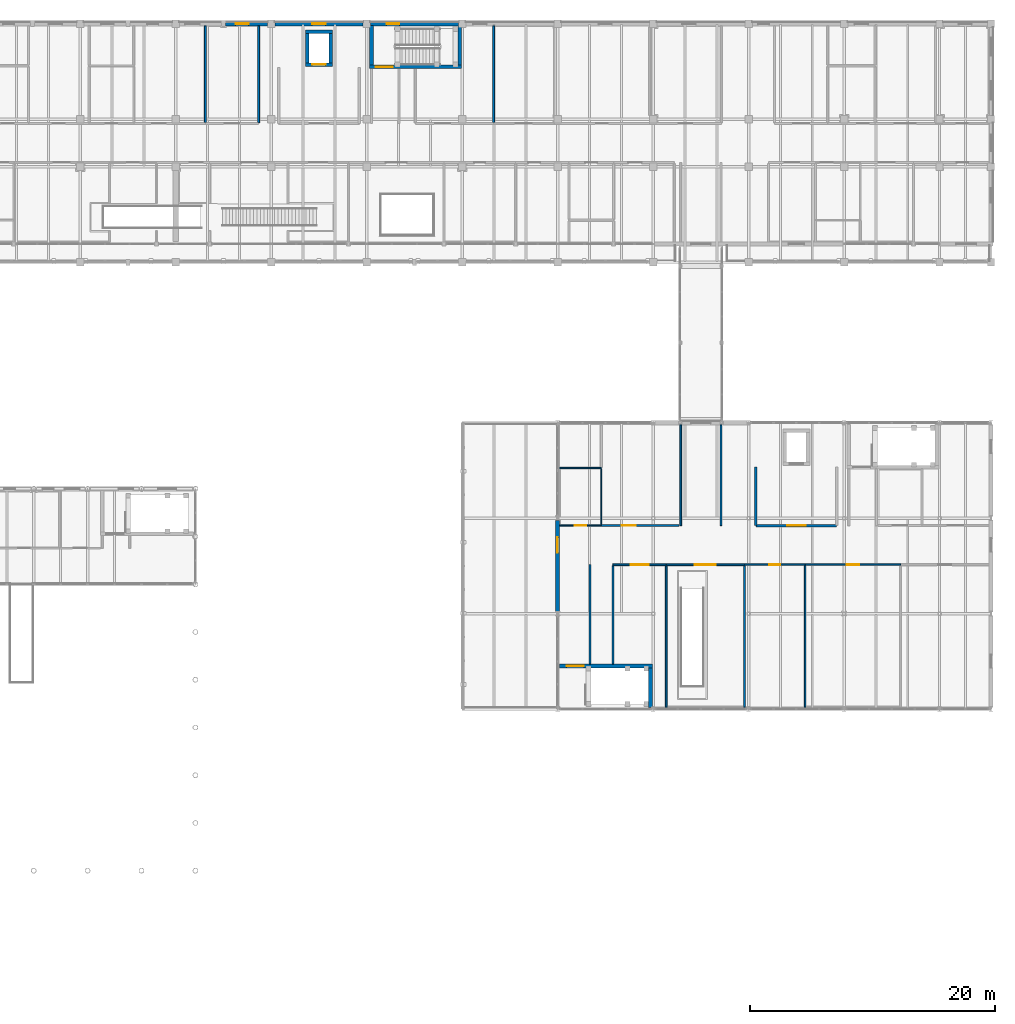
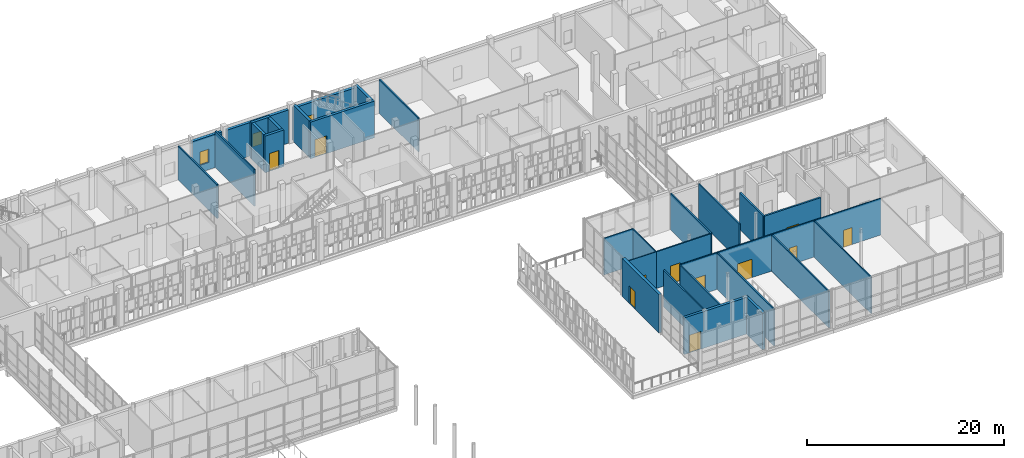
# One storey, part 111 of 138: 33 walls, 11 doors, 3 windows, 14 openings.
"""IFC4 building model written with IfcOpenShell, lengths in metres."""

import ifcopenshell
import ifcopenshell.guid

model = None  # the IFC model being written
_history = None  # IfcOwnerHistory: only IFC2X3 demands one
_inside = {}  # id of a spatial element -> (the spatial element, [elements in it])
_under = {}  # id of a project, library or spatial element -> (it, [spatial elements below it])
_declared = {}  # id of a project -> (the project, [libraries it declares])
_typed = {}  # id of a type object -> (the type object, [elements of that type])
_made_of = {}  # id of a material, layer set ... -> (it, [elements and type objects made of it])


def new_model(schema):
    """Start an empty IFC model of exactly this schema.

    Asked for "IFC4X3", IfcOpenShell would pick the latest addendum, in which some entities
    have other attributes; the version numbers below select the first issue.
    IFC2X3 requires an IfcOwnerHistory on every rooted entity: one is made here for all.
    """
    global model, _history
    if schema == "IFC4X3":
        model = ifcopenshell.file(schema_version=(4, 3, 0, 0))
    else:
        model = ifcopenshell.file(schema=schema)
    _inside.clear()
    _under.clear()
    _declared.clear()
    _typed.clear()
    _made_of.clear()
    _history = None
    if model.schema == "IFC2X3":
        org = make("IfcOrganization", Name="unknown")
        user = make(
            "IfcPersonAndOrganization",
            ThePerson=make("IfcPerson", FamilyName="unknown"),
            TheOrganization=org,
        )
        app = make(
            "IfcApplication",
            ApplicationDeveloper=org,
            Version="unknown",
            ApplicationFullName="unknown",
            ApplicationIdentifier="unknown",
        )
        _history = make(
            "IfcOwnerHistory",
            OwningUser=user,
            OwningApplication=app,
            ChangeAction="ADDED",
            CreationDate=0,
        )
    return model


def make(cls, **values):
    """One entity of the class cls with the attributes given. An attribute that is None is left unset."""
    return model.create_entity(
        cls, **{name: value for name, value in values.items() if value is not None}
    )


def rooted(cls, **values):
    """An entity with a GlobalId (a new one), such as an element, a storey or a relation."""
    return make(cls, GlobalId=ifcopenshell.guid.new(), OwnerHistory=_history, **values)


def si_unit(unit_type, name, prefix=None):
    """IfcSIUnit, for example si_unit("LENGTHUNIT", "METRE", prefix="MILLI")."""
    return make("IfcSIUnit", UnitType=unit_type, Prefix=prefix, Name=name)


def assignment(units):
    """IfcUnitAssignment: the units of a project."""
    return None if units is None else make("IfcUnitAssignment", Units=units)


def point(xyz):
    """IfcCartesianPoint."""
    return None if xyz is None else make("IfcCartesianPoint", Coordinates=xyz)


def direction(xyz):
    """IfcDirection."""
    return None if xyz is None else make("IfcDirection", DirectionRatios=xyz)


def frame(location, z_axis=None, x_axis=None):
    """IfcAxis2Placement3D, a coordinate frame: its origin and axes. An axis left out is left unset."""
    return make(
        "IfcAxis2Placement3D",
        Location=point(location),
        Axis=direction(z_axis),
        RefDirection=direction(x_axis),
    )


def frame_2d(location, x_axis=None):
    """IfcAxis2Placement2D, a coordinate frame in the plane: its origin and x axis."""
    return make(
        "IfcAxis2Placement2D", Location=point(location), RefDirection=direction(x_axis)
    )


def origin():
    """The frame at (0, 0, 0) with its axes left unset."""
    return frame((0.0, 0.0, 0.0))


def place(relative_to, where):
    """IfcLocalPlacement: puts the frame where relative to a parent placement (None: the world)."""
    return make(
        "IfcLocalPlacement", PlacementRelTo=relative_to, RelativePlacement=where
    )


def context(
    kind, dimensions, precision=None, world=None, true_north=None, identifier=None
):
    """IfcGeometricRepresentationContext, for example the 3D "Model" context."""
    return make(
        "IfcGeometricRepresentationContext",
        ContextIdentifier=identifier,
        ContextType=kind,
        CoordinateSpaceDimension=dimensions,
        Precision=precision,
        WorldCoordinateSystem=world,
        TrueNorth=true_north,
    )


def subcontext(parent, identifier, kind, view, scale=None):
    """IfcGeometricRepresentationSubContext, for example "Body" below "Model"."""
    return make(
        "IfcGeometricRepresentationSubContext",
        ContextIdentifier=identifier,
        ContextType=kind,
        ParentContext=parent,
        TargetScale=scale,
        TargetView=view,
    )


def project(units=None, contexts=None):
    """IfcProject with its units and contexts."""
    return rooted(
        "IfcProject",
        Name="project",
        RepresentationContexts=contexts,
        UnitsInContext=assignment(units),
    )


def spatial(cls, under=None, at=None, **own):
    """A site, building, storey or space (cls), placed at a placement, below another one or the project."""
    s = rooted(cls, ObjectPlacement=at, **own)
    if under is not None:
        _under.setdefault(under.id(), (under, []))[1].append(s)
    return s


def profile(cls, at=None, kind="AREA", **sizes):
    """A parametric profile (cls). Its sizes go by their IFC names, for example OverallWidth=200.0."""
    return make(cls, ProfileType=kind, Position=at, **sizes)


def rectangle(**sizes):
    """IfcRectangleProfileDef."""
    return profile("IfcRectangleProfileDef", **sizes)


def extrude(swept, where, along, depth):
    """IfcExtrudedAreaSolid: the profile swept, set in the frame where, extruded along a direction by depth."""
    return make(
        "IfcExtrudedAreaSolid",
        SweptArea=swept,
        Position=where,
        ExtrudedDirection=direction(along),
        Depth=depth,
    )


def shape(context_of_items, identifier, shape_type, items):
    """IfcShapeRepresentation: the items that make up one representation, for example the "Body"."""
    return make(
        "IfcShapeRepresentation",
        ContextOfItems=context_of_items,
        RepresentationIdentifier=identifier,
        RepresentationType=shape_type,
        Items=items,
    )


def material(Name=None, Category=None):
    """IfcMaterial."""
    return make("IfcMaterial", Name=Name, Category=Category)


def layer(
    of_material, thickness, ventilated=None, Name=None, Category=None, Priority=None
):
    """IfcMaterialLayer: one layer of a wall or slab, of a material (None: an air gap)."""
    return make(
        "IfcMaterialLayer",
        Material=of_material,
        LayerThickness=thickness,
        IsVentilated=ventilated,
        Name=Name,
        Category=Category,
        Priority=Priority,
    )


def layer_set(layers, Name=None):
    """IfcMaterialLayerSet."""
    return make("IfcMaterialLayerSet", MaterialLayers=layers, LayerSetName=Name)


def made_of(thing, what):
    """Note that an element or type object is made of a material, layer set ...; save() writes the relation."""
    if what is not None:
        _made_of.setdefault(what.id(), (what, []))[1].append(thing)
    return thing


def type_object(cls, material=None, **own):
    """A type object (cls), such as IfcWallType, which elements share."""
    return made_of(rooted(cls, **own), material)


def element(
    cls,
    number,
    at=None,
    inside=None,
    cuts=None,
    type_object=None,
    material=None,
    context=None,
    identifier="Body",
    shape_type=None,
    held_by="IfcProductDefinitionShape",
    body=None,
    shapes=None,
    **own,
):
    """One element of the class cls, such as IfcWall. Its Tag is "e" and its number.

    at: its placement. inside: the storey or other place that contains it. cuts: it is an
    opening in that element (IfcRelVoidsElement). A single representation is given by context,
    identifier, shape_type and body (its items); several are given by shapes. held_by: the class
    of the entity that holds the representations. save() writes the other relations.
    """
    e = rooted(cls, Tag="e%d" % number, ObjectPlacement=at, **own)
    if body is not None:
        shapes = [shape(context, identifier, shape_type, body)]
    if shapes is not None:
        e.Representation = make(held_by, Representations=shapes)
    if inside is not None:
        _inside.setdefault(inside.id(), (inside, []))[1].append(e)
    if cuts is not None:
        rooted(
            "IfcRelVoidsElement", RelatingBuildingElement=cuts, RelatedOpeningElement=e
        )
    if type_object is not None:
        _typed.setdefault(type_object.id(), (type_object, []))[1].append(e)
    return made_of(e, material)


def fill(opening, filler):
    """IfcRelFillsElement: the door or window that sits in an opening."""
    return rooted(
        "IfcRelFillsElement",
        RelatingOpeningElement=opening,
        RelatedBuildingElement=filler,
    )


def aggregate(whole, parts):
    """IfcRelAggregates: a whole, such as a stair, and the parts it consists of."""
    return rooted("IfcRelAggregates", RelatingObject=whole, RelatedObjects=parts)


def save(model, path):
    """Write the relations noted so far, then the file.

    IfcRelAggregates (storeys below a building ...), IfcRelContainedInSpatialStructure (elements
    in a storey), IfcRelDefinesByType, IfcRelAssociatesMaterial and IfcRelDeclares: one each for
    every whole, place, type object, material and project.
    """
    for whole, parts in _under.values():
        aggregate(whole, parts)
    for where, things in _inside.values():
        rooted(
            "IfcRelContainedInSpatialStructure",
            RelatedElements=things,
            RelatingStructure=where,
        )
    for kind, things in _typed.values():
        rooted("IfcRelDefinesByType", RelatedObjects=things, RelatingType=kind)
    for what, things in _made_of.values():
        rooted("IfcRelAssociatesMaterial", RelatedObjects=things, RelatingMaterial=what)
    for by, libraries in _declared.values():
        rooted("IfcRelDeclares", RelatingContext=by, RelatedDefinitions=libraries)
    model.write(path)


model = new_model("IFC4")

# Units and contexts
model_context = context("Model", 3, precision=1e-05, world=origin(), true_north=direction((0.0, 1.0)))
body_context = subcontext(model_context, "Body", "Model", "MODEL_VIEW")
ifc_project = project(units=[si_unit("LENGTHUNIT", "METRE"), si_unit("AREAUNIT", "SQUARE_METRE"), si_unit("VOLUMEUNIT", "CUBIC_METRE"), si_unit("PLANEANGLEUNIT", "RADIAN"), si_unit("MASSUNIT", "GRAM", prefix="KILO")], contexts=[model_context])

# Site, building, storey
site_placement = place(None, origin())
site = spatial("IfcSite", under=ifc_project, at=site_placement, CompositionType="ELEMENT")
building_placement = place(site_placement, origin())
building = spatial("IfcBuilding", under=site, at=building_placement, Name="Celorna Specialist Clinic", CompositionType="ELEMENT")
storey_placement = place(building_placement, frame((0.0, 0.0, 4.800048828125)))
storey = spatial("IfcBuildingStorey", under=building, at=storey_placement, Name="L01", CompositionType="ELEMENT", Elevation=4.800048828125)

# Wall, opening, door
ifc_material_1 = material(Name="Pero Pinheiro Lioz limestone insulated masonry", Category="masonry")
ifc_layer_1 = layer(ifc_material_1, 0.340087890625, Name="Pero Pinheiro Lioz limestone insulated masonry")
ifc_layer_set_1 = layer_set([ifc_layer_1], Name="Pero Pinheiro Lioz limestone insulated masonry")
wall_type_1 = type_object("IfcWallType", Name="WT-07", PredefinedType="STANDARD", material=ifc_layer_set_1)
wall_1_placement = place(storey_placement, frame((132.60009765625, 67.97998046875, 0.0), z_axis=(0.0, 0.0, 1.0), x_axis=(0.0, 1.0, 0.0)))
wall_1 = element("IfcWall", 1, at=wall_1_placement, inside=storey, type_object=wall_type_1, Name="External facade wall WT-07 #153", PredefinedType="STANDARD", context=body_context, shape_type="SweptSolid", body=[
    extrude(rectangle(XDim=7.43994140625, YDim=0.340087890625, at=frame_2d((3.719970703125, 0.0))), origin(), (0.0, 0.0, 1.0), 4.75),
])
opening_1_placement = place(wall_1_placement, frame((4.794921875, 0.0, 0.0)))
opening_1 = element("IfcOpeningElement", 2, at=opening_1_placement, cuts=wall_1, Name="Opening DR-13", PredefinedType="OPENING", context=body_context, shape_type="SweptSolid", body=[
    extrude(rectangle(XDim=1.25, YDim=2.199951171875, at=frame_2d((0.625, 1.10009765625))), frame((0.0, 0.179931640625, 0.0), z_axis=(0.0, -1.0, 0.0), x_axis=(1.0, 0.0, 0.0)), (0.0, 0.0, 1.0), 0.360107421875),
])
ifc_material_2 = material(Name="Thermally broken glazed terrace door")
door_type_1 = type_object("IfcDoorType", Name="DR-13", OperationType="NOTDEFINED", PredefinedType="DOOR", material=ifc_material_2)
door_1_placement = place(opening_1_placement, frame((1.25, 0.0, 0.0), z_axis=(0.0, 0.0, 1.0), x_axis=(-1.0, 0.0, 0.0)))
door_1 = element("IfcDoor", 3, at=door_1_placement, inside=storey, type_object=door_type_1, Name="Terrace access door TER-V3-L01", OperationType="SINGLE_SWING_RIGHT", OverallHeight=2.199951171875, OverallWidth=1.25, PredefinedType="DOOR", context=body_context, shape_type="SweptSolid", body=[
    extrude(rectangle(XDim=1.25, YDim=2.199951171875, at=frame_2d((0.625, 1.10009765625))), frame((0.0, 0.02490234375, 0.0), z_axis=(0.0, -1.0, 0.0), x_axis=(1.0, 0.0, 0.0)), (0.0, 0.0, 1.0), 0.050048828125),
])
fill(opening_1, door_1)

# Wall, opening, window
wall_2_placement = place(storey_placement, frame((105.449951171875, 116.0, 0.0), z_axis=(0.0, 0.0, 1.0), x_axis=(1.0, 0.0, 0.0)))
wall_2 = element("IfcWall", 4, at=wall_2_placement, inside=storey, type_object=wall_type_1, Name="External facade wall WT-07 #215", PredefinedType="STANDARD", context=body_context, shape_type="SweptSolid", body=[
    extrude(rectangle(XDim=3.449951171875, YDim=0.340087890625, at=frame_2d((1.72509765625, 0.0))), origin(), (0.0, 0.0, 1.0), 4.139892578125),
])
opening_2_placement = place(wall_2_placement, frame((0.844970703125, 0.0, 0.89990234375)))
opening_2 = element("IfcOpeningElement", 5, at=opening_2_placement, cuts=wall_2, Name="Opening WN-21", PredefinedType="OPENING", context=body_context, shape_type="SweptSolid", body=[
    extrude(rectangle(XDim=1.050048828125, YDim=1.64990234375, at=frame_2d((0.52490234375, 0.824951171875))), frame((0.0, 0.179931640625, 0.0), z_axis=(0.0, -1.0, 0.0), x_axis=(1.0, 0.0, 0.0)), (0.0, 0.0, 1.0), 0.360107421875),
])
ifc_material_3 = material(Name="Thermally broken aluminium triple-glazed window", Category="aluminium")
window_type_1 = type_object("IfcWindowType", Name="WN-21", PartitioningType="SINGLE_PANEL", PredefinedType="WINDOW", material=ifc_material_3)
window_1_placement = place(opening_2_placement, origin())
window_1 = element("IfcWindow", 6, at=window_1_placement, inside=storey, type_object=window_type_1, Name="Facade window WN-21 #95", OverallHeight=1.64990234375, OverallWidth=1.050048828125, PartitioningType="SINGLE_PANEL", PredefinedType="WINDOW", context=body_context, shape_type="SweptSolid", body=[
    extrude(rectangle(XDim=1.050048828125, YDim=1.64990234375, at=frame_2d((0.52490234375, 0.824951171875))), frame((0.0, 0.030029296875, 0.0), z_axis=(0.0, -1.0, 0.0), x_axis=(1.0, 0.0, 0.0)), (0.0, 0.0, 1.0), 0.06005859375),
])
fill(opening_2, window_1)

wall_3_placement = place(storey_placement, frame((109.5, 116.0, 0.0), z_axis=(0.0, 0.0, 1.0), x_axis=(1.0, 0.0, 0.0)))
wall_3 = element("IfcWall", 7, at=wall_3_placement, inside=storey, type_object=wall_type_1, Name="External facade wall WT-07 #216", PredefinedType="STANDARD", context=body_context, shape_type="SweptSolid", body=[
    extrude(rectangle(XDim=7.199951171875, YDim=0.340087890625, at=frame_2d((3.60009765625, 0.0))), origin(), (0.0, 0.0, 1.0), 4.139892578125),
])
opening_3_placement = place(wall_3_placement, frame((3.050048828125, 0.0, 0.89990234375)))
opening_3 = element("IfcOpeningElement", 8, at=opening_3_placement, cuts=wall_3, Name="Opening WN-03", PredefinedType="OPENING", context=body_context, shape_type="SweptSolid", body=[
    extrude(rectangle(XDim=1.10009765625, YDim=1.60009765625, at=frame_2d((0.550048828125, 0.800048828125))), frame((0.0, 0.179931640625, 0.0), z_axis=(0.0, -1.0, 0.0), x_axis=(1.0, 0.0, 0.0)), (0.0, 0.0, 1.0), 0.360107421875),
])
window_type_2 = type_object("IfcWindowType", Name="WN-03", PartitioningType="SINGLE_PANEL", PredefinedType="WINDOW", material=ifc_material_3)
window_2_placement = place(opening_3_placement, origin())
window_2 = element("IfcWindow", 9, at=window_2_placement, inside=storey, type_object=window_type_2, Name="Facade window WN-03 #96", OverallHeight=1.60009765625, OverallWidth=1.10009765625, PartitioningType="SINGLE_PANEL", PredefinedType="WINDOW", context=body_context, shape_type="SweptSolid", body=[
    extrude(rectangle(XDim=1.10009765625, YDim=1.60009765625, at=frame_2d((0.550048828125, 0.800048828125))), frame((0.0, 0.030029296875, 0.0), z_axis=(0.0, -1.0, 0.0), x_axis=(1.0, 0.0, 0.0)), (0.0, 0.0, 1.0), 0.06005859375),
])
fill(opening_3, window_2)

wall_4_placement = place(storey_placement, frame((117.300048828125, 116.0, 0.0), z_axis=(0.0, 0.0, 1.0), x_axis=(1.0, 0.0, 0.0)))
wall_4 = element("IfcWall", 10, at=wall_4_placement, inside=storey, type_object=wall_type_1, Name="External facade wall WT-07 #217", PredefinedType="STANDARD", context=body_context, shape_type="SweptSolid", body=[
    extrude(rectangle(XDim=7.199951171875, YDim=0.340087890625, at=frame_2d((3.60009765625, 0.0))), origin(), (0.0, 0.0, 1.0), 4.139892578125),
])
opening_4_placement = place(wall_4_placement, frame((1.320068359375, 0.0, 0.89990234375)))
opening_4 = element("IfcOpeningElement", 11, at=opening_4_placement, cuts=wall_4, Name="Opening WN-21", PredefinedType="OPENING", context=body_context, shape_type="SweptSolid", body=[
    extrude(rectangle(XDim=1.050048828125, YDim=1.64990234375, at=frame_2d((0.52490234375, 0.824951171875))), frame((0.0, 0.179931640625, 0.0), z_axis=(0.0, -1.0, 0.0), x_axis=(1.0, 0.0, 0.0)), (0.0, 0.0, 1.0), 0.360107421875),
])
window_3_placement = place(opening_4_placement, origin())
window_3 = element("IfcWindow", 12, at=window_3_placement, inside=storey, type_object=window_type_1, Name="Facade window WN-21 #97", OverallHeight=1.64990234375, OverallWidth=1.050048828125, PartitioningType="SINGLE_PANEL", PredefinedType="WINDOW", context=body_context, shape_type="SweptSolid", body=[
    extrude(rectangle(XDim=1.050048828125, YDim=1.64990234375, at=frame_2d((0.52490234375, 0.824951171875))), frame((0.0, 0.030029296875, 0.0), z_axis=(0.0, -1.0, 0.0), x_axis=(1.0, 0.0, 0.0)), (0.0, 0.0, 1.0), 0.06005859375),
])
fill(opening_4, window_3)

# Wall, opening, door
ifc_material_4 = material(Name="Concrete C35/45", Category="concrete")
ifc_layer_2 = layer(ifc_material_4, 0.300048828125, Name="Concrete C35/45")
ifc_layer_set_2 = layer_set([ifc_layer_2], Name="Concrete C35/45")
wall_type_2 = type_object("IfcWallType", Name="WT-08", PredefinedType="SHEAR", material=ifc_layer_set_2)
wall_5_placement = place(storey_placement, frame((117.239990234375, 112.469970703125, 0.0), z_axis=(0.0, 0.0, 1.0), x_axis=(1.0, 0.0, 0.0)))
wall_5 = element("IfcWall", 13, at=wall_5_placement, inside=storey, type_object=wall_type_2, Name="Stair ST-03 RC core wall L01 south", PredefinedType="SHEAR", context=body_context, shape_type="SweptSolid", body=[
    extrude(rectangle(XDim=7.5, YDim=0.300048828125, at=frame_2d((3.75, 0.0))), origin(), (0.0, 0.0, 1.0), 4.5400390625),
])
opening_5_placement = place(wall_5_placement, frame((0.5, 0.0, 0.0)))
opening_5 = element("IfcOpeningElement", 14, at=opening_5_placement, cuts=wall_5, Name="Opening DR-10", PredefinedType="OPENING", context=body_context, shape_type="SweptSolid", body=[
    extrude(rectangle(XDim=1.39990234375, YDim=2.199951171875, at=frame_2d((0.699951171875, 1.10009765625))), frame((0.0, 0.159912109375, 0.0), z_axis=(0.0, -1.0, 0.0), x_axis=(1.0, 0.0, 0.0)), (0.0, 0.0, 1.0), 0.320068359375),
])
ifc_material_5 = material(Name="Protected exit stair fire door")
door_type_2 = type_object("IfcDoorType", Name="DR-10", OperationType="NOTDEFINED", PredefinedType="DOOR", material=ifc_material_5)
door_2_placement = place(opening_5_placement, origin())
door_2 = element("IfcDoor", 15, at=door_2_placement, inside=storey, type_object=door_type_2, Name="Protected exit stair door ST-03 L01", OperationType="SINGLE_SWING_LEFT", OverallHeight=2.199951171875, OverallWidth=1.39990234375, PredefinedType="DOOR", context=body_context, shape_type="SweptSolid", body=[
    extrude(rectangle(XDim=1.39990234375, YDim=2.199951171875, at=frame_2d((0.699951171875, 1.10009765625))), frame((0.0, 0.02490234375, 0.0), z_axis=(0.0, -1.0, 0.0), x_axis=(1.0, 0.0, 0.0)), (0.0, 0.0, 1.0), 0.050048828125),
])
fill(opening_5, door_2)

# Walls
for number, where, z_axis, x_axis, name in (
    (16, (117.389892578125, 115.85009765625, 0.0), (0.0, 0.0, 1.0), (0.0, -1.0, 0.0), "Stair ST-03 RC core wall L01 west"),
    (17, (124.590087890625, 112.6201171875, 0.0), (0.0, 0.0, 1.0), (0.0, 1.0, 0.0), "Stair ST-03 RC core wall L01 east"),
):
    element("IfcWall", number, at=place(storey_placement, frame(where, z_axis=z_axis, x_axis=x_axis)), inside=storey, type_object=wall_type_2, Name=name, PredefinedType="SHEAR", context=body_context, shape_type="SweptSolid", body=[
        extrude(rectangle(XDim=3.22998046875, YDim=0.300048828125, at=frame_2d((1.614990234375, 0.0))), origin(), (0.0, 0.0, 1.0), 4.5400390625),
    ])

# Wall, opening, door
wall_6_placement = place(storey_placement, frame((140.340087890625, 63.530029296875, 0.0), z_axis=(0.0, 0.0, 1.0), x_axis=(-1.0, 0.0, 0.0)))
wall_6 = element("IfcWall", 18, at=wall_6_placement, inside=storey, type_object=wall_type_2, Name="Stair ST-13 RC core wall L01 north", PredefinedType="SHEAR", context=body_context, shape_type="SweptSolid", body=[
    extrude(rectangle(XDim=7.590087890625, YDim=0.300048828125, at=frame_2d((3.794921875, 0.0))), origin(), (0.0, 0.0, 1.0), 4.5400390625),
])
opening_6_placement = place(wall_6_placement, frame((5.60009765625, 0.0, 0.0)))
opening_6 = element("IfcOpeningElement", 19, at=opening_6_placement, cuts=wall_6, Name="Opening DR-10", PredefinedType="OPENING", context=body_context, shape_type="SweptSolid", body=[
    extrude(rectangle(XDim=1.39990234375, YDim=2.199951171875, at=frame_2d((0.699951171875, 1.10009765625))), frame((0.0, 0.159912109375, 0.0), z_axis=(0.0, -1.0, 0.0), x_axis=(1.0, 0.0, 0.0)), (0.0, 0.0, 1.0), 0.320068359375),
])
door_3_placement = place(opening_6_placement, origin())
door_3 = element("IfcDoor", 20, at=door_3_placement, inside=storey, type_object=door_type_2, Name="Protected exit stair door ST-13 L01", OperationType="SINGLE_SWING_LEFT", OverallHeight=2.199951171875, OverallWidth=1.39990234375, PredefinedType="DOOR", context=body_context, shape_type="SweptSolid", body=[
    extrude(rectangle(XDim=1.39990234375, YDim=2.199951171875, at=frame_2d((0.699951171875, 1.10009765625))), frame((0.0, 0.02490234375, 0.0), z_axis=(0.0, -1.0, 0.0), x_axis=(1.0, 0.0, 0.0)), (0.0, 0.0, 1.0), 0.050048828125),
])
fill(opening_6, door_3)

# Wall
wall_7_placement = place(storey_placement, frame((140.18994140625, 60.14990234375, 0.0), z_axis=(0.0, 0.0, 1.0), x_axis=(0.0, 1.0, 0.0)))
element("IfcWall", 21, at=wall_7_placement, inside=storey, type_object=wall_type_2, Name="Stair ST-13 RC core wall L01 east", PredefinedType="SHEAR", context=body_context, shape_type="SweptSolid", body=[
    extrude(rectangle(XDim=3.22998046875, YDim=0.300048828125, at=frame_2d((1.614990234375, 0.0))), origin(), (0.0, 0.0, 1.0), 4.5400390625),
])

# Wall, opening, door
wall_8_placement = place(storey_placement, frame((112.0, 112.64990234375, 0.0), z_axis=(0.0, 0.0, 1.0), x_axis=(1.0, 0.0, 0.0)))
wall_8 = element("IfcWall", 22, at=wall_8_placement, inside=storey, type_object=wall_type_2, Name="Lift LF-03 RC shaft wall L01", PredefinedType="SHEAR", context=body_context, shape_type="SweptSolid", body=[
    extrude(rectangle(XDim=2.199951171875, YDim=0.300048828125, at=frame_2d((1.10009765625, 0.0))), origin(), (0.0, 0.0, 1.0), 4.5400390625),
])
opening_7_placement = place(wall_8_placement, frame((0.550048828125, 0.0, 0.0)))
opening_7 = element("IfcOpeningElement", 23, at=opening_7_placement, cuts=wall_8, Name="Opening LD-01", PredefinedType="OPENING", context=body_context, shape_type="SweptSolid", body=[
    extrude(rectangle(XDim=1.10009765625, YDim=2.199951171875, at=frame_2d((0.550048828125, 1.10009765625))), frame((0.0, 0.159912109375, 0.0), z_axis=(0.0, -1.0, 0.0), x_axis=(1.0, 0.0, 0.0)), (0.0, 0.0, 1.0), 0.320068359375),
])
ifc_material_6 = material(Name="Stainless steel lift landing sliding door", Category="steel")
door_type_3 = type_object("IfcDoorType", Name="LD-01", OperationType="DOUBLE_DOOR_SLIDING", PredefinedType="DOOR", material=ifc_material_6)
door_4_placement = place(opening_7_placement, origin())
door_4 = element("IfcDoor", 24, at=door_4_placement, inside=storey, type_object=door_type_3, Name="Lift LF-03 sliding landing door L01", OperationType="DOUBLE_DOOR_SLIDING", OverallHeight=2.199951171875, OverallWidth=1.10009765625, PredefinedType="DOOR", context=body_context, shape_type="SweptSolid", body=[
    extrude(rectangle(XDim=1.10009765625, YDim=2.199951171875, at=frame_2d((0.550048828125, 1.10009765625))), frame((0.0, 0.02490234375, 0.0), z_axis=(0.0, -1.0, 0.0), x_axis=(1.0, 0.0, 0.0)), (0.0, 0.0, 1.0), 0.050048828125),
])
fill(opening_7, door_4)

# Walls
wall_9_placement = place(storey_placement, frame((114.199951171875, 115.35009765625, 0.0), z_axis=(0.0, 0.0, 1.0), x_axis=(-1.0, 0.0, 0.0)))
element("IfcWall", 25, at=wall_9_placement, inside=storey, type_object=wall_type_2, Name="Lift LF-03 RC shaft wall L01", PredefinedType="SHEAR", context=body_context, shape_type="SweptSolid", body=[
    extrude(rectangle(XDim=2.199951171875, YDim=0.300048828125, at=frame_2d((1.10009765625, 0.0))), origin(), (0.0, 0.0, 1.0), 4.5400390625),
])
for number, where, z_axis, x_axis, name in (
    (26, (112.14990234375, 115.199951171875, 0.0), (0.0, 0.0, 1.0), (0.0, -1.0, 0.0), "Lift LF-03 RC shaft wall L01"),
    (27, (114.050048828125, 112.800048828125, 0.0), (0.0, 0.0, 1.0), (0.0, 1.0, 0.0), "Lift LF-03 RC shaft wall L01"),
):
    element("IfcWall", number, at=place(storey_placement, frame(where, z_axis=z_axis, x_axis=x_axis)), inside=storey, type_object=wall_type_2, Name=name, PredefinedType="SHEAR", context=body_context, shape_type="SweptSolid", body=[
        extrude(rectangle(XDim=2.39990234375, YDim=0.300048828125, at=frame_2d((1.199951171875, 0.0))), origin(), (0.0, 0.0, 1.0), 4.5400390625),
    ])

# Wall, opening, door
ifc_layer_3 = layer(ifc_material_4, 0.199951171875, Name="Concrete C35/45")
ifc_layer_set_3 = layer_set([ifc_layer_3], Name="Concrete C35/45")
wall_type_3 = type_object("IfcWallType", Name="WT-12", PredefinedType="SOLIDWALL", material=ifc_layer_set_3)
wall_10_placement = place(storey_placement, frame((148.800048828125, 75.0, 0.0), z_axis=(0.0, 0.0, 1.0), x_axis=(1.0, 0.0, 0.0)))
wall_10 = element("IfcWall", 28, at=wall_10_placement, inside=storey, type_object=wall_type_3, Name="Lift lobby wall LF-09 L01", PredefinedType="SOLIDWALL", context=body_context, shape_type="SweptSolid", body=[
    extrude(rectangle(XDim=6.599853515625, YDim=0.199951171875, at=frame_2d((3.2998046875, 0.0))), origin(), (0.0, 0.0, 1.0), 4.5400390625),
])
opening_8_placement = place(wall_10_placement, frame((2.550048828125, 0.0, 0.0)))
opening_8 = element("IfcOpeningElement", 29, at=opening_8_placement, cuts=wall_10, Name="Opening DR-11", PredefinedType="OPENING", context=body_context, shape_type="SweptSolid", body=[
    extrude(rectangle(XDim=1.5, YDim=2.199951171875, at=frame_2d((0.75, 1.10009765625))), frame((0.0, 0.10986328125, 0.0), z_axis=(0.0, -1.0, 0.0), x_axis=(1.0, 0.0, 0.0)), (0.0, 0.0, 1.0), 0.219970703125),
])
ifc_material_7 = material(Name="Firefighting lobby double fire door")
door_type_4 = type_object("IfcDoorType", Name="DR-11", OperationType="DOUBLE_DOOR_SINGLE_SWING", PredefinedType="DOOR", material=ifc_material_7)
door_5_placement = place(opening_8_placement, origin())
door_5 = element("IfcDoor", 30, at=door_5_placement, inside=storey, type_object=door_type_4, Name="Lift lobby fire door LF-09 L01", OperationType="DOUBLE_DOOR_SINGLE_SWING", OverallHeight=2.199951171875, OverallWidth=1.5, PredefinedType="DOOR", context=body_context, shape_type="SweptSolid", body=[
    extrude(rectangle(XDim=1.5, YDim=2.199951171875, at=frame_2d((0.75, 1.10009765625))), frame((0.0, 0.02490234375, 0.0), z_axis=(0.0, -1.0, 0.0), x_axis=(1.0, 0.0, 0.0)), (0.0, 0.0, 1.0), 0.050048828125),
])
fill(opening_8, door_5)

# Walls
wall_11_placement = place(storey_placement, frame((148.800048828125, 79.800048828125, 0.0), z_axis=(0.0, 0.0, 1.0), x_axis=(0.0, -1.0, 0.0)))
element("IfcWall", 31, at=wall_11_placement, inside=storey, type_object=wall_type_3, Name="Lift lobby wall LF-09 L01", PredefinedType="SOLIDWALL", context=body_context, shape_type="SweptSolid", body=[
    extrude(rectangle(XDim=4.800048828125, YDim=0.199951171875, at=frame_2d((2.39990234375, 0.0))), origin(), (0.0, 0.0, 1.0), 4.5400390625),
])
ifc_material_8 = material(Name="Fire-rated gypsum board partition")
ifc_layer_4 = layer(ifc_material_8, 0.14990234375, Name="Fire-rated gypsum board partition")
ifc_layer_set_4 = layer_set([ifc_layer_4], Name="Fire-rated gypsum board partition")
wall_type_4 = type_object("IfcWallType", Name="WT-14", PredefinedType="PARTITIONING", material=ifc_layer_set_4)
wall_12_placement = place(storey_placement, frame((135.239990234375, 63.679931640625, 0.0), z_axis=(0.0, 0.0, 1.0), x_axis=(0.0, 1.0, 0.0)))
element("IfcWall", 32, at=wall_12_placement, inside=storey, type_object=wall_type_4, Name="Corridor spur partition WT-14", PredefinedType="PARTITIONING", context=body_context, shape_type="SweptSolid", body=[
    extrude(rectangle(XDim=8.1201171875, YDim=0.14990234375, at=frame_2d((4.06005859375, 0.0))), origin(), (0.0, 0.0, 1.0), 4.5400390625),
])
for number, where, z_axis, x_axis, name in (
    (33, (142.64990234375, 75.0, 0.0), (0.0, 0.0, 1.0), (0.0, 1.0, 0.0), "Corridor spur partition WT-14"),
    (34, (145.949951171875, 75.0, 0.0), (0.0, 0.0, 1.0), (0.0, 1.0, 0.0), "Corridor spur partition WT-14"),
):
    element("IfcWall", number, at=place(storey_placement, frame(where, z_axis=z_axis, x_axis=x_axis)), inside=storey, type_object=wall_type_4, Name=name, PredefinedType="PARTITIONING", context=body_context, shape_type="SweptSolid", body=[
        extrude(rectangle(XDim=8.22998046875, YDim=0.14990234375, at=frame_2d((4.114990234375, 0.0))), origin(), (0.0, 0.0, 1.0), 4.5400390625),
    ])

# Wall, opening, door
wall_13_placement = place(storey_placement, frame((141.469970703125, 71.800048828125, 0.0), z_axis=(0.0, 0.0, 1.0), x_axis=(-1.0, 0.0, 0.0)))
wall_13 = element("IfcWall", 35, at=wall_13_placement, inside=storey, type_object=wall_type_4, Name="Interior partition WT-14 L01-039", PredefinedType="PARTITIONING", context=body_context, shape_type="SweptSolid", body=[
    extrude(rectangle(XDim=4.349853515625, YDim=0.14990234375, at=frame_2d((2.1748046875, 0.0))), origin(), (0.0, 0.0, 1.0), 4.5400390625),
])
opening_9_placement = place(wall_13_placement, frame((1.43505859375, 0.0, 0.0)))
opening_9 = element("IfcOpeningElement", 36, at=opening_9_placement, cuts=wall_13, Name="Opening DR-23", PredefinedType="OPENING", context=body_context, shape_type="SweptSolid", body=[
    extrude(rectangle(XDim=1.47998046875, YDim=2.25, at=frame_2d((0.739990234375, 1.125))), frame((0.0, 0.0849609375, 0.0), z_axis=(0.0, -1.0, 0.0), x_axis=(1.0, 0.0, 0.0)), (0.0, 0.0, 1.0), 0.169921875),
])
ifc_material_9 = material(Name="Double leaf treatment room door")
door_type_5 = type_object("IfcDoorType", Name="DR-23", OperationType="DOUBLE_DOOR_SINGLE_SWING", PredefinedType="DOOR", material=ifc_material_9)
door_6_placement = place(opening_9_placement, origin())
door_6 = element("IfcDoor", 37, at=door_6_placement, inside=storey, type_object=door_type_5, Name="Occupational Therapy Studio door L01-039", OperationType="DOUBLE_DOOR_SINGLE_SWING", OverallHeight=2.25, OverallWidth=1.47998046875, PredefinedType="DOOR", context=body_context, shape_type="SweptSolid", body=[
    extrude(rectangle(XDim=1.47998046875, YDim=2.25, at=frame_2d((0.739990234375, 1.125))), frame((0.0, 0.02490234375, 0.0), z_axis=(0.0, -1.0, 0.0), x_axis=(1.0, 0.0, 0.0)), (0.0, 0.0, 1.0), 0.050048828125),
])
fill(opening_9, door_6)

wall_14_placement = place(storey_placement, frame((147.8701171875, 71.800048828125, 0.0), z_axis=(0.0, 0.0, 1.0), x_axis=(-1.0, 0.0, 0.0)))
wall_14 = element("IfcWall", 38, at=wall_14_placement, inside=storey, type_object=wall_type_4, Name="Interior partition WT-14 L01-040", PredefinedType="PARTITIONING", context=body_context, shape_type="SweptSolid", body=[
    extrude(rectangle(XDim=6.400146484375, YDim=0.14990234375, at=frame_2d((3.2001953125, 0.0))), origin(), (0.0, 0.0, 1.0), 4.5400390625),
])
opening_10_placement = place(wall_14_placement, frame((2.340087890625, 0.0, 0.0)))
opening_10 = element("IfcOpeningElement", 39, at=opening_10_placement, cuts=wall_14, Name="Opening DR-24", PredefinedType="OPENING", context=body_context, shape_type="SweptSolid", body=[
    extrude(rectangle(XDim=1.719970703125, YDim=2.300048828125, at=frame_2d((0.85986328125, 1.14990234375))), frame((0.0, 0.0849609375, 0.0), z_axis=(0.0, -1.0, 0.0), x_axis=(1.0, 0.0, 0.0)), (0.0, 0.0, 1.0), 0.169921875),
])
ifc_material_10 = material(Name="Double leaf clinical waiting door")
door_type_6 = type_object("IfcDoorType", Name="DR-24", OperationType="DOUBLE_DOOR_SINGLE_SWING", PredefinedType="DOOR", material=ifc_material_10)
door_7_placement = place(opening_10_placement, origin())
door_7 = element("IfcDoor", 40, at=door_7_placement, inside=storey, type_object=door_type_6, Name="Physiotherapy Treatment Room door L01-040", OperationType="DOUBLE_DOOR_SINGLE_SWING", OverallHeight=2.300048828125, OverallWidth=1.719970703125, PredefinedType="DOOR", context=body_context, shape_type="SweptSolid", body=[
    extrude(rectangle(XDim=1.719970703125, YDim=2.300048828125, at=frame_2d((0.85986328125, 1.14990234375))), frame((0.0, 0.02490234375, 0.0), z_axis=(0.0, -1.0, 0.0), x_axis=(1.0, 0.0, 0.0)), (0.0, 0.0, 1.0), 0.050048828125),
])
fill(opening_10, door_7)

wall_15_placement = place(storey_placement, frame((136.169921875, 75.0, 0.0), z_axis=(0.0, 0.0, 1.0), x_axis=(1.0, 0.0, 0.0)))
wall_15 = element("IfcWall", 41, at=wall_15_placement, inside=storey, type_object=wall_type_4, Name="Interior partition WT-14 L01-045", PredefinedType="PARTITIONING", context=body_context, shape_type="SweptSolid", body=[
    extrude(rectangle(XDim=6.360107421875, YDim=0.14990234375, at=frame_2d((3.18017578125, 0.0))), origin(), (0.0, 0.0, 1.0), 4.5400390625),
])
opening_11_placement = place(wall_15_placement, frame((1.65087890625, 0.0, 0.0)))
opening_11 = element("IfcOpeningElement", 42, at=opening_11_placement, cuts=wall_15, Name="Opening DR-07", PredefinedType="OPENING", context=body_context, shape_type="SweptSolid", body=[
    extrude(rectangle(XDim=1.14990234375, YDim=2.199951171875, at=frame_2d((0.574951171875, 1.10009765625))), frame((0.0, 0.0849609375, 0.0), z_axis=(0.0, -1.0, 0.0), x_axis=(1.0, 0.0, 0.0)), (0.0, 0.0, 1.0), 0.169921875),
])
ifc_material_11 = material(Name="Hermetic cleanroom airlock door")
door_type_7 = type_object("IfcDoorType", Name="DR-07", OperationType="NOTDEFINED", PredefinedType="DOOR", material=ifc_material_11)
door_8_placement = place(opening_11_placement, origin())
door_8 = element("IfcDoor", 43, at=door_8_placement, inside=storey, type_object=door_type_7, Name="Occupational Therapy Studio door L01-045", OperationType="SINGLE_SWING_RIGHT", OverallHeight=2.199951171875, OverallWidth=1.14990234375, PredefinedType="DOOR", context=body_context, shape_type="SweptSolid", body=[
    extrude(rectangle(XDim=1.14990234375, YDim=2.199951171875, at=frame_2d((0.574951171875, 1.10009765625))), frame((0.0, 0.02490234375, 0.0), z_axis=(0.0, -1.0, 0.0), x_axis=(1.0, 0.0, 0.0)), (0.0, 0.0, 1.0), 0.050048828125),
])
fill(opening_11, door_8)

# Walls
wall_16_placement = place(storey_placement, frame((137.1201171875, 63.679931640625, 0.0), z_axis=(0.0, 0.0, 1.0), x_axis=(0.0, 1.0, 0.0)))
element("IfcWall", 44, at=wall_16_placement, inside=storey, type_object=wall_type_4, Name="Room dividing partition WT-14 L01-039", PredefinedType="PARTITIONING", context=body_context, shape_type="SweptSolid", body=[
    extrude(rectangle(XDim=8.045166015625, YDim=0.14990234375, at=frame_2d((4.0224609375, 0.0))), origin(), (0.0, 0.0, 1.0), 4.5400390625),
])
for number, where, z_axis, x_axis, name in (
    (45, (141.469970703125, 60.169921875, 0.0), (0.0, 0.0, 1.0), (0.0, 1.0, 0.0), "Room dividing partition WT-14 L01-039"),
    (46, (147.8701171875, 60.169921875, 0.0), (0.0, 0.0, 1.0), (0.0, 1.0, 0.0), "Room dividing partition WT-14 L01-040"),
):
    element("IfcWall", number, at=place(storey_placement, frame(where, z_axis=z_axis, x_axis=x_axis)), inside=storey, type_object=wall_type_4, Name=name, PredefinedType="PARTITIONING", context=body_context, shape_type="SweptSolid", body=[
        extrude(rectangle(XDim=11.55517578125, YDim=0.14990234375, at=frame_2d((5.777587890625, 0.0))), origin(), (0.0, 0.0, 1.0), 4.5400390625),
    ])
wall_17_placement = place(storey_placement, frame((103.820068359375, 107.925048828125, 0.0), z_axis=(0.0, 0.0, 1.0), x_axis=(0.0, 1.0, 0.0)))
element("IfcWall", 47, at=wall_17_placement, inside=storey, type_object=wall_type_4, Name="Room dividing partition WT-14 L01-081", PredefinedType="PARTITIONING", context=body_context, shape_type="SweptSolid", body=[
    extrude(rectangle(XDim=7.905029296875, YDim=0.14990234375, at=frame_2d((3.95263671875, 0.0))), origin(), (0.0, 0.0, 1.0), 4.2099609375),
])
wall_18_placement = place(storey_placement, frame((108.169921875, 107.925048828125, 0.0), z_axis=(0.0, 0.0, 1.0), x_axis=(0.0, 1.0, 0.0)))
element("IfcWall", 48, at=wall_18_placement, inside=storey, type_object=wall_type_4, Name="Room dividing partition WT-14 L01-082", PredefinedType="PARTITIONING", context=body_context, shape_type="SweptSolid", body=[
    extrude(rectangle(XDim=7.905029296875, YDim=0.14990234375, at=frame_2d((3.95263671875, 0.0))), origin(), (0.0, 0.0, 1.0), 4.5400390625),
])
wall_19_placement = place(storey_placement, frame((127.3701171875, 107.925048828125, 0.0), z_axis=(0.0, 0.0, 1.0), x_axis=(0.0, 1.0, 0.0)))
element("IfcWall", 49, at=wall_19_placement, inside=storey, type_object=wall_type_4, Name="Room dividing partition WT-14 L01-083", PredefinedType="PARTITIONING", context=body_context, shape_type="SweptSolid", body=[
    extrude(rectangle(XDim=7.905029296875, YDim=0.14990234375, at=frame_2d((3.95263671875, 0.0))), origin(), (0.0, 0.0, 1.0), 4.2099609375),
])

# Wall, opening, door
ifc_material_12 = material(Name="Acoustic gypsum board partition")
ifc_layer_5 = layer(ifc_material_12, 0.1201171875, Name="Acoustic gypsum board partition")
ifc_layer_set_5 = layer_set([ifc_layer_5], Name="Acoustic gypsum board partition")
wall_type_5 = type_object("IfcWallType", Name="WT-15", PredefinedType="PARTITIONING", material=ifc_layer_set_5)
wall_20_placement = place(storey_placement, frame((152.820068359375, 71.800048828125, 0.0), z_axis=(0.0, 0.0, 1.0), x_axis=(-1.0, 0.0, 0.0)))
wall_20 = element("IfcWall", 50, at=wall_20_placement, inside=storey, type_object=wall_type_5, Name="Interior partition WT-15 L01-041", PredefinedType="PARTITIONING", context=body_context, shape_type="SweptSolid", body=[
    extrude(rectangle(XDim=4.949951171875, YDim=0.1201171875, at=frame_2d((2.47509765625, 0.0))), origin(), (0.0, 0.0, 1.0), 4.5400390625),
])
opening_12_placement = place(wall_20_placement, frame((2.02490234375, 0.0, 0.0)))
opening_12 = element("IfcOpeningElement", 51, at=opening_12_placement, cuts=wall_20, Name="Opening DR-02", PredefinedType="OPENING", context=body_context, shape_type="SweptSolid", body=[
    extrude(rectangle(XDim=0.89990234375, YDim=2.10009765625, at=frame_2d((0.449951171875, 1.050048828125))), frame((0.0, 0.070068359375, 0.0), z_axis=(0.0, -1.0, 0.0), x_axis=(1.0, 0.0, 0.0)), (0.0, 0.0, 1.0), 0.14013671875),
])
ifc_material_13 = material(Name="Timber acoustic clinical door", Category="wood")
door_type_8 = type_object("IfcDoorType", Name="DR-02", OperationType="NOTDEFINED", PredefinedType="DOOR", material=ifc_material_13)
door_9_placement = place(opening_12_placement, origin())
door_9 = element("IfcDoor", 52, at=door_9_placement, inside=storey, type_object=door_type_8, Name="Hand and Upper-Limb Therapy Room door L01-041", OperationType="SINGLE_SWING_RIGHT", OverallHeight=2.10009765625, OverallWidth=0.89990234375, PredefinedType="DOOR", context=body_context, shape_type="SweptSolid", body=[
    extrude(rectangle(XDim=0.89990234375, YDim=2.10009765625, at=frame_2d((0.449951171875, 1.050048828125))), frame((0.0, 0.02490234375, 0.0), z_axis=(0.0, -1.0, 0.0), x_axis=(1.0, 0.0, 0.0)), (0.0, 0.0, 1.0), 0.050048828125),
])
fill(opening_12, door_9)

wall_21_placement = place(storey_placement, frame((160.6201171875, 71.800048828125, 0.0), z_axis=(0.0, 0.0, 1.0), x_axis=(-1.0, 0.0, 0.0)))
wall_21 = element("IfcWall", 53, at=wall_21_placement, inside=storey, type_object=wall_type_5, Name="Interior partition WT-15 L01-042", PredefinedType="PARTITIONING", context=body_context, shape_type="SweptSolid", body=[
    extrude(rectangle(XDim=7.800048828125, YDim=0.1201171875, at=frame_2d((3.89990234375, 0.0))), origin(), (0.0, 0.0, 1.0), 4.5400390625),
])
opening_13_placement = place(wall_21_placement, frame((3.39990234375, 0.0, 0.0)))
opening_13 = element("IfcOpeningElement", 54, at=opening_13_placement, cuts=wall_21, Name="Opening DR-04", PredefinedType="OPENING", context=body_context, shape_type="SweptSolid", body=[
    extrude(rectangle(XDim=1.0, YDim=2.10009765625, at=frame_2d((0.5, 1.050048828125))), frame((0.0, 0.070068359375, 0.0), z_axis=(0.0, -1.0, 0.0), x_axis=(1.0, 0.0, 0.0)), (0.0, 0.0, 1.0), 0.14013671875),
])
ifc_material_14 = material(Name="Timber consultation suite door", Category="wood")
door_type_9 = type_object("IfcDoorType", Name="DR-04", OperationType="NOTDEFINED", PredefinedType="DOOR", material=ifc_material_14)
door_10_placement = place(opening_13_placement, origin())
door_10 = element("IfcDoor", 55, at=door_10_placement, inside=storey, type_object=door_type_9, Name="Electrotherapy Rehabilitation Suite door L01-042", OperationType="SINGLE_SWING_LEFT", OverallHeight=2.10009765625, OverallWidth=1.0, PredefinedType="DOOR", context=body_context, shape_type="SweptSolid", body=[
    extrude(rectangle(XDim=1.0, YDim=2.10009765625, at=frame_2d((0.5, 1.050048828125))), frame((0.0, 0.02490234375, 0.0), z_axis=(0.0, -1.0, 0.0), x_axis=(1.0, 0.0, 0.0)), (0.0, 0.0, 1.0), 0.050048828125),
])
fill(opening_13, door_10)

# Wall
wall_22_placement = place(storey_placement, frame((152.820068359375, 60.169921875, 0.0), z_axis=(0.0, 0.0, 1.0), x_axis=(0.0, 1.0, 0.0)))
element("IfcWall", 56, at=wall_22_placement, inside=storey, type_object=wall_type_5, Name="Room dividing partition WT-15 L01-041", PredefinedType="PARTITIONING", context=body_context, shape_type="SweptSolid", body=[
    extrude(rectangle(XDim=11.570068359375, YDim=0.1201171875, at=frame_2d((5.78515625, 0.0))), origin(), (0.0, 0.0, 1.0), 4.5400390625),
])

# Wall, opening, door
ifc_material_15 = material(Name="Moisture-resistant gypsum partition")
ifc_layer_6 = layer(ifc_material_15, 0.10009765625, Name="Moisture-resistant gypsum partition")
ifc_layer_set_6 = layer_set([ifc_layer_6], Name="Moisture-resistant gypsum partition")
wall_type_6 = type_object("IfcWallType", Name="WT-16", PredefinedType="PARTITIONING", material=ifc_layer_set_6)
wall_23_placement = place(storey_placement, frame((132.77001953125, 75.0, 0.0), z_axis=(0.0, 0.0, 1.0), x_axis=(1.0, 0.0, 0.0)))
wall_23 = element("IfcWall", 57, at=wall_23_placement, inside=storey, type_object=wall_type_6, Name="Interior partition WT-16 L01-044", PredefinedType="PARTITIONING", context=body_context, shape_type="SweptSolid", body=[
    extrude(rectangle(XDim=3.39990234375, YDim=0.10009765625, at=frame_2d((1.699951171875, 0.0))), origin(), (0.0, 0.0, 1.0), 4.5400390625),
])
opening_14_placement = place(wall_23_placement, frame((1.22509765625, 0.0, 0.0)))
opening_14 = element("IfcOpeningElement", 58, at=opening_14_placement, cuts=wall_23, Name="Opening DR-03", PredefinedType="OPENING", context=body_context, shape_type="SweptSolid", body=[
    extrude(rectangle(XDim=0.949951171875, YDim=2.10009765625, at=frame_2d((0.47509765625, 1.050048828125))), frame((0.0, 0.06005859375, 0.0), z_axis=(0.0, -1.0, 0.0), x_axis=(1.0, 0.0, 0.0)), (0.0, 0.0, 1.0), 0.1201171875),
])
ifc_material_16 = material(Name="Moisture-resistant accessible WC door")
door_type_10 = type_object("IfcDoorType", Name="DR-03", OperationType="NOTDEFINED", PredefinedType="DOOR", material=ifc_material_16)
door_11_placement = place(opening_14_placement, origin())
door_11 = element("IfcDoor", 59, at=door_11_placement, inside=storey, type_object=door_type_10, Name="Staff WC door L01-044", OperationType="SINGLE_SWING_LEFT", OverallHeight=2.10009765625, OverallWidth=0.949951171875, PredefinedType="DOOR", context=body_context, shape_type="SweptSolid", body=[
    extrude(rectangle(XDim=0.949951171875, YDim=2.10009765625, at=frame_2d((0.47509765625, 1.050048828125))), frame((0.0, 0.02490234375, 0.0), z_axis=(0.0, -1.0, 0.0), x_axis=(1.0, 0.0, 0.0)), (0.0, 0.0, 1.0), 0.050048828125),
])
fill(opening_14, door_11)

# Walls
wall_24_placement = place(storey_placement, frame((132.77001953125, 79.699951171875, 0.0), z_axis=(0.0, 0.0, 1.0), x_axis=(1.0, 0.0, 0.0)))
element("IfcWall", 60, at=wall_24_placement, inside=storey, type_object=wall_type_6, Name="Sanitary suite rear partition L01-044", PredefinedType="PARTITIONING", context=body_context, shape_type="SweptSolid", body=[
    extrude(rectangle(XDim=3.39990234375, YDim=0.10009765625, at=frame_2d((1.699951171875, 0.0))), origin(), (0.0, 0.0, 1.0), 4.5400390625),
])
wall_25_placement = place(storey_placement, frame((136.169921875, 75.074951171875, 0.0), z_axis=(0.0, 0.0, 1.0), x_axis=(0.0, 1.0, 0.0)))
element("IfcWall", 61, at=wall_25_placement, inside=storey, type_object=wall_type_6, Name="Room dividing partition WT-16 L01-044", PredefinedType="PARTITIONING", context=body_context, shape_type="SweptSolid", body=[
    extrude(rectangle(XDim=4.574951171875, YDim=0.10009765625, at=frame_2d((2.28759765625, 0.0))), origin(), (0.0, 0.0, 1.0), 4.5400390625),
])

save(model, "model.ifc")
